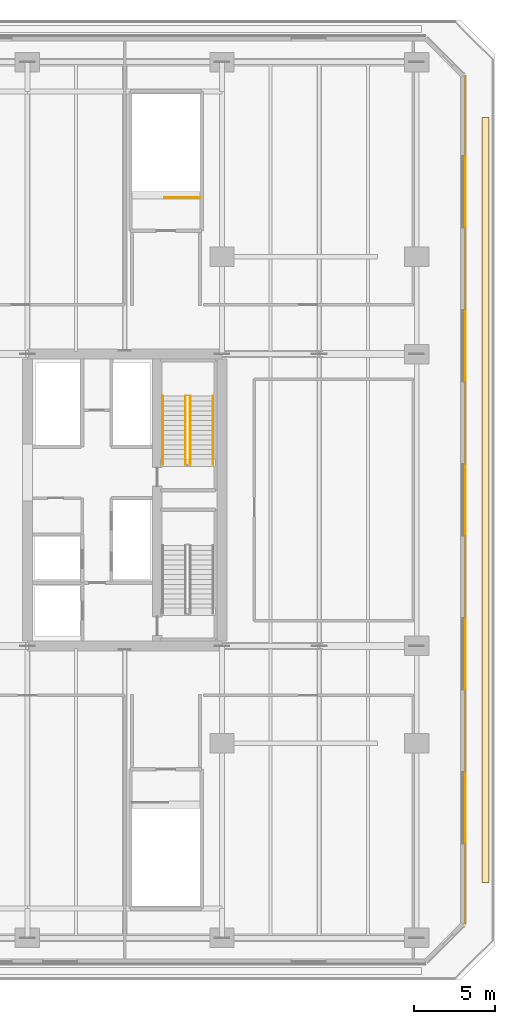
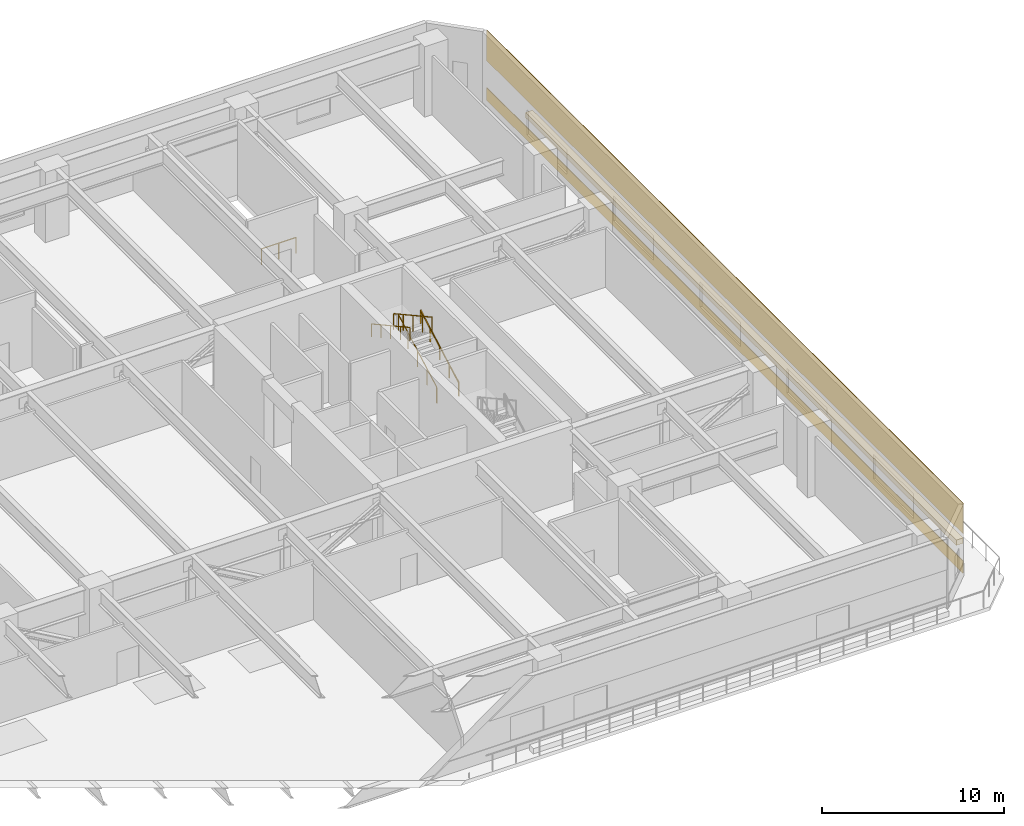
# One storey, part 23 of 25: 5 railings, 3 coverings.
"""IFC4 building model written with IfcOpenShell, lengths in metres."""

from ifc_helpers import new_model, si_unit, direction, frame, origin, origin_2d, place, context, subcontext, project, spatial, polyline, rectangle, outline, extrude, material, layer, layer_set, type_object, element, save


model = new_model("IFC4")

# Units and contexts
model_context = context("Model", 3, precision=1e-05, world=origin(), true_north=direction((0.0, 1.0)))
body_context = subcontext(model_context, "Body", "Model", "MODEL_VIEW")
ifc_project = project(units=[si_unit("LENGTHUNIT", "METRE"), si_unit("AREAUNIT", "SQUARE_METRE"), si_unit("VOLUMEUNIT", "CUBIC_METRE"), si_unit("PLANEANGLEUNIT", "RADIAN"), si_unit("MASSUNIT", "GRAM", prefix="KILO")], contexts=[model_context])

# Site, building, storey
site_placement = place(None, origin())
site = spatial("IfcSite", under=ifc_project, at=site_placement, CompositionType="ELEMENT")
building_placement = place(site_placement, origin())
building = spatial("IfcBuilding", under=site, at=building_placement, Name="Tanjung Sevakor Pilgrim Tower", CompositionType="ELEMENT")
storey_placement = place(building_placement, frame((0.0, 0.0, 24.090087890625)))
storey = spatial("IfcBuildingStorey", under=building, at=storey_placement, Name="L06", CompositionType="ELEMENT", Elevation=24.090087890625)

# Coverings
ifc_material_1 = material(Name="Reconstructed Limestone Cladding", Category="masonry")
ifc_layer_1 = layer(ifc_material_1, 0.044921875)
ifc_layer_set_1 = layer_set([ifc_layer_1], Name="COV-CLAD-LIMESTONE")
covering_type_1 = type_object("IfcCoveringType", Name="COV-CLAD-LIMESTONE", PredefinedType="CLADDING", material=ifc_layer_set_1)
covering_1_placement = place(storey_placement, frame((105.0224609375, 33.60009765625, 0.009765625), z_axis=(0.0, 0.0, 1.0), x_axis=(0.0, 1.0, 0.0)))
element("IfcCovering", 1, at=covering_1_placement, inside=storey, type_object=covering_type_1, Name="L06 Warm Limestone Sill Spandrel EW-L06-MAIN-3-1", PredefinedType="CLADDING", context=body_context, shape_type="SweptSolid", body=[
    extrude(rectangle(XDim=52.2041015625, YDim=0.044921875, at=origin_2d()), origin(), (0.0, 0.0, 1.0), 0.840087890625),
])
covering_2_placement = place(storey_placement, frame((105.0224609375, 33.60009765625, 2.659912109375), z_axis=(0.0, 0.0, 1.0), x_axis=(0.0, 1.0, 0.0)))
element("IfcCovering", 2, at=covering_2_placement, inside=storey, type_object=covering_type_1, Name="L06 Warm Limestone Cornice Spandrel EW-L06-MAIN-3", PredefinedType="CLADDING", context=body_context, shape_type="SweptSolid", body=[
    extrude(rectangle(XDim=52.243896484375, YDim=0.044921875, at=origin_2d()), origin(), (0.0, 0.0, 1.0), 2.0400390625),
])
ifc_material_2 = material(Name="Vegetated Modular Planter Assembly", Category="organic")
ifc_layer_2 = layer(ifc_material_2, 0.35009765625)
ifc_layer_set_2 = layer_set([ifc_layer_2], Name="COV-GRN-TROUGH")
covering_type_2 = type_object("IfcCoveringType", Name="COV-GRN-TROUGH", PredefinedType="CLADDING", material=ifc_layer_set_2)
covering_3_placement = place(storey_placement, origin())
element("IfcCovering", 3, at=covering_3_placement, inside=storey, type_object=covering_type_2, Name="L06 Planted Landscape Hedge Trough PGRN-L06-E", PredefinedType="CLADDING", context=body_context, shape_type="SweptSolid", body=[
    extrude(outline(polyline([(106.469970703125, 10.0), (106.469970703125, 57.199951171875), (106.030029296875, 57.199951171875), (106.030029296875, 10.0), (106.469970703125, 10.0)])), origin(), (0.0, 0.0, 1.0), 0.349853515625),
])

# Railings
ifc_material_3 = material(Name="Steel S355J2", Category="steel")
railing_type_1 = type_object("IfcRailingType", Name="RL-STAIR-GUARD", PredefinedType="GUARDRAIL", material=ifc_material_3)
railing_1_placement = place(storey_placement, frame((88.050048828125, 35.800048828125, 0.164794921875)))
element("IfcRailing", 4, at=railing_1_placement, inside=storey, type_object=railing_type_1, Name="L06 TS-E2 stair guard 1", PredefinedType="GUARDRAIL", context=body_context, shape_type="SweptSolid", body=[
    extrude(rectangle(XDim=0.0479, YDim=0.0479), frame((0.0, 0.0, 1.076171875), z_axis=(0.0, 0.876208380975, 0.481932436249), x_axis=(-1.0, 0.0, 0.0)), (0.0, 0.0, 1.0), 4.793212890625),
    extrude(rectangle(XDim=0.042, YDim=0.042), origin(), (0.0, 0.0, 1.0), 1.052001953125),
    extrude(rectangle(XDim=0.042, YDim=0.042), frame((0.0, 1.050048828125, 0.57763671875)), (0.0, 0.0, 1.0), 1.052001953125),
    extrude(rectangle(XDim=0.042, YDim=0.042), frame((0.0, 2.10009765625, 1.155029296875)), (0.0, 0.0, 1.0), 1.052001953125),
    extrude(rectangle(XDim=0.042, YDim=0.042), frame((0.0, 3.14990234375, 1.732421875)), (0.0, 0.0, 1.0), 1.052001953125),
    extrude(rectangle(XDim=0.042, YDim=0.042), frame((0.0, 4.199951171875, 2.31005859375)), (0.0, 0.0, 1.0), 1.052001953125),
])
railing_2_placement = place(storey_placement, frame((87.75, 40.0, 2.639892578125)))
element("IfcRailing", 5, at=railing_2_placement, inside=storey, type_object=railing_type_1, Name="L06 TS-E2 stair guard 3", PredefinedType="GUARDRAIL", context=body_context, shape_type="SweptSolid", body=[
    extrude(rectangle(XDim=0.0479, YDim=0.0479), frame((0.0, 0.0, 1.076171875), z_axis=(0.0, -0.876208380975, 0.481932436249), x_axis=(1.0, 0.0, 0.0)), (0.0, 0.0, 1.0), 4.793212890625),
    extrude(rectangle(XDim=0.042, YDim=0.042), origin(), (0.0, 0.0, 1.0), 1.052001953125),
    extrude(rectangle(XDim=0.042, YDim=0.042), frame((0.0, -1.050048828125, 0.57763671875)), (0.0, 0.0, 1.0), 1.052001953125),
    extrude(rectangle(XDim=0.042, YDim=0.042), frame((0.0, -2.10009765625, 1.155029296875)), (0.0, 0.0, 1.0), 1.052001953125),
    extrude(rectangle(XDim=0.042, YDim=0.042), frame((0.0, -3.14990234375, 1.732421875)), (0.0, 0.0, 1.0), 1.052001953125),
    extrude(rectangle(XDim=0.042, YDim=0.042), frame((0.0, -4.199951171875, 2.31005859375)), (0.0, 0.0, 1.0), 1.052001953125),
])
railing_3_placement = place(storey_placement, frame((88.64990234375, 52.25, 0.0)))
element("IfcRailing", 6, at=railing_3_placement, inside=storey, type_object=railing_type_1, Name="L06 PS-6 top well guard 1", PredefinedType="GUARDRAIL", context=body_context, shape_type="SweptSolid", body=[
    extrude(rectangle(XDim=0.0479, YDim=0.0479), frame((0.0, 0.0, 1.076171875), z_axis=(-1.0, 0.0, 0.0), x_axis=(0.0, -1.0, 0.0)), (0.0, 0.0, 1.0), 2.199951171875),
    extrude(rectangle(XDim=0.042, YDim=0.042), origin(), (0.0, 0.0, 1.0), 1.052001953125),
    extrude(rectangle(XDim=0.042, YDim=0.042), frame((-1.10009765625, 0.0, 0.0)), (0.0, 0.0, 1.0), 1.052001953125),
    extrude(rectangle(XDim=0.042, YDim=0.042), frame((-2.199951171875, 0.0, 0.0)), (0.0, 0.0, 1.0), 1.052001953125),
])
ifc_material_4 = material(Name="Steel S355J2", Category="steel")
railing_type_2 = type_object("IfcRailingType", Name="RL-STAIR-HAND", PredefinedType="HANDRAIL", material=ifc_material_4)
railing_4_placement = place(storey_placement, frame((89.449951171875, 35.800048828125, 0.164794921875)))
element("IfcRailing", 7, at=railing_4_placement, inside=storey, type_object=railing_type_2, Name="L06 TS-E2 stair handrail 1", PredefinedType="HANDRAIL", context=body_context, shape_type="SweptSolid", body=[
    extrude(rectangle(XDim=0.0479, YDim=0.0479), frame((0.0, 0.0, 0.8759765625), z_axis=(0.0, 0.876208380975, 0.481932436249), x_axis=(-1.0, 0.0, 0.0)), (0.0, 0.0, 1.0), 4.793212890625),
    extrude(rectangle(XDim=0.042, YDim=0.042), origin(), (0.0, 0.0, 1.0), 0.851806640625),
    extrude(rectangle(XDim=0.042, YDim=0.042), frame((0.0, 1.050048828125, 0.57763671875)), (0.0, 0.0, 1.0), 0.851806640625),
    extrude(rectangle(XDim=0.042, YDim=0.042), frame((0.0, 2.10009765625, 1.155029296875)), (0.0, 0.0, 1.0), 0.851806640625),
    extrude(rectangle(XDim=0.042, YDim=0.042), frame((0.0, 3.14990234375, 1.732421875)), (0.0, 0.0, 1.0), 0.851806640625),
    extrude(rectangle(XDim=0.042, YDim=0.042), frame((0.0, 4.199951171875, 2.31005859375)), (0.0, 0.0, 1.0), 0.851806640625),
])
railing_5_placement = place(storey_placement, frame((86.35009765625, 40.0, 2.639892578125)))
element("IfcRailing", 8, at=railing_5_placement, inside=storey, type_object=railing_type_2, Name="L06 TS-E2 stair handrail 2", PredefinedType="HANDRAIL", context=body_context, shape_type="SweptSolid", body=[
    extrude(rectangle(XDim=0.0479, YDim=0.0479), frame((0.0, 0.0, 0.8759765625), z_axis=(0.0, -0.876208380975, 0.481932436249), x_axis=(1.0, 0.0, 0.0)), (0.0, 0.0, 1.0), 4.793212890625),
    extrude(rectangle(XDim=0.042, YDim=0.042), origin(), (0.0, 0.0, 1.0), 0.851806640625),
    extrude(rectangle(XDim=0.042, YDim=0.042), frame((0.0, -1.050048828125, 0.57763671875)), (0.0, 0.0, 1.0), 0.851806640625),
    extrude(rectangle(XDim=0.042, YDim=0.042), frame((0.0, -2.10009765625, 1.155029296875)), (0.0, 0.0, 1.0), 0.851806640625),
    extrude(rectangle(XDim=0.042, YDim=0.042), frame((0.0, -3.14990234375, 1.732421875)), (0.0, 0.0, 1.0), 0.851806640625),
    extrude(rectangle(XDim=0.042, YDim=0.042), frame((0.0, -4.199951171875, 2.31005859375)), (0.0, 0.0, 1.0), 0.851806640625),
])

save(model, "model.ifc")
